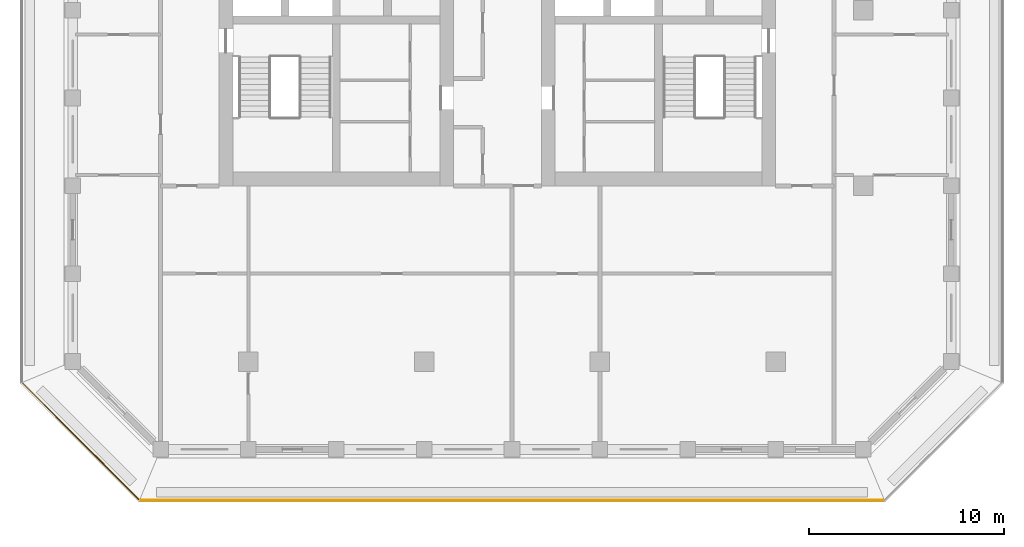
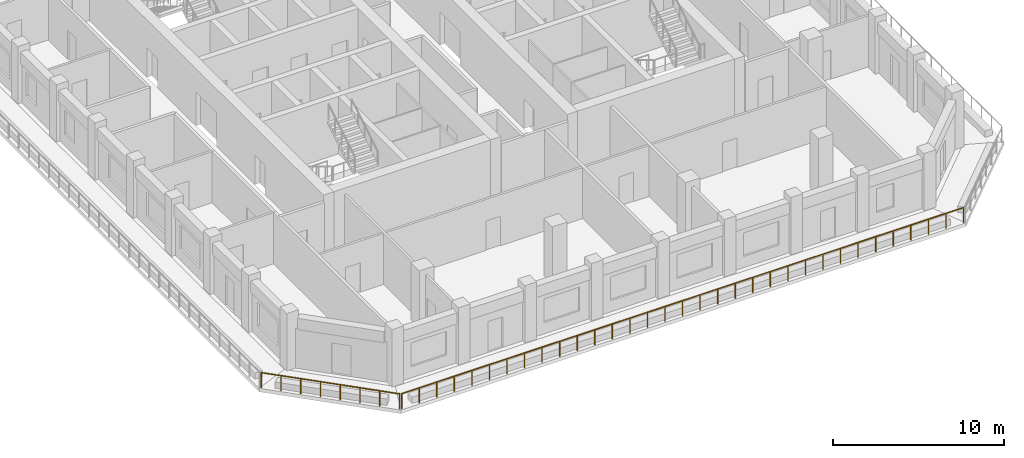
# One storey, part 9 of 17: 2 railings.
"""IFC4 building model written with IfcOpenShell, lengths in metres."""

from ifc_helpers import new_model, si_unit, direction, frame, origin, origin_2d, place, context, subcontext, project, spatial, circle, extrude, material, type_object, element, save


model = new_model("IFC4")

# Units and contexts
model_context = context("Model", 3, precision=1e-05, world=origin(), true_north=direction((0.0, 1.0)))
body_context = subcontext(model_context, "Body", "Model", "MODEL_VIEW")
ifc_project = project(units=[si_unit("LENGTHUNIT", "METRE"), si_unit("AREAUNIT", "SQUARE_METRE"), si_unit("VOLUMEUNIT", "CUBIC_METRE"), si_unit("PLANEANGLEUNIT", "RADIAN"), si_unit("MASSUNIT", "GRAM", prefix="KILO")], contexts=[model_context])

# Site, building, storey
site_placement = place(None, origin())
site = spatial("IfcSite", under=ifc_project, at=site_placement, CompositionType="ELEMENT")
building_placement = place(site_placement, origin())
building = spatial("IfcBuilding", under=site, at=building_placement, Name="Corbel Stack Research Tower", CompositionType="ELEMENT")
storey_placement = place(building_placement, frame((0.0, 0.0, 252.10009765625)))
storey = spatial("IfcBuildingStorey", under=building, at=storey_placement, Name="L57", CompositionType="ELEMENT", Elevation=252.10009765625)

# Railings
ifc_material = material(Name="Powder-coated steel guard", Category="steel")
railing_type = type_object("IfcRailingType", Name="Steel and glass guard 1100", PredefinedType="GUARDRAIL", material=ifc_material)
railing_1_placement = place(storey_placement, frame((-14.50537109375, -25.10009765625, 0.0)))
element("IfcRailing", 1, at=railing_1_placement, inside=storey, type_object=railing_type, Name="Loggia guard L57 S", PredefinedType="GUARDRAIL", context=body_context, shape_type="SweptSolid", body=[
    extrude(circle(Radius=0.02392578125, at=origin_2d()), frame((0.0, 0.0, 1.076171875), z_axis=(1.0, 0.0, 0.0), x_axis=(0.0, 1.0, 0.0)), (0.0, 0.0, 1.0), 38.0107421875),
    extrude(circle(Radius=0.02099609375, at=origin_2d()), origin(), (0.0, 0.0, 1.0), 1.052001953125),
    extrude(circle(Radius=0.02099609375, at=origin_2d()), frame((1.187744140625, 0.0, 0.0)), (0.0, 0.0, 1.0), 1.052001953125),
    extrude(circle(Radius=0.02099609375, at=origin_2d()), frame((2.375732421875, 0.0, 0.0)), (0.0, 0.0, 1.0), 1.052001953125),
    extrude(circle(Radius=0.02099609375, at=origin_2d()), frame((3.5634765625, 0.0, 0.0)), (0.0, 0.0, 1.0), 1.052001953125),
    extrude(circle(Radius=0.02099609375, at=origin_2d()), frame((4.75146484375, 0.0, 0.0)), (0.0, 0.0, 1.0), 1.052001953125),
    extrude(circle(Radius=0.02099609375, at=origin_2d()), frame((5.939208984375, 0.0, 0.0)), (0.0, 0.0, 1.0), 1.052001953125),
    extrude(circle(Radius=0.02099609375, at=origin_2d()), frame((7.126953125, 0.0, 0.0)), (0.0, 0.0, 1.0), 1.052001953125),
    extrude(circle(Radius=0.02099609375, at=origin_2d()), frame((8.31494140625, 0.0, 0.0)), (0.0, 0.0, 1.0), 1.052001953125),
    extrude(circle(Radius=0.02099609375, at=origin_2d()), frame((9.502685546875, 0.0, 0.0)), (0.0, 0.0, 1.0), 1.052001953125),
    extrude(circle(Radius=0.02099609375, at=origin_2d()), frame((10.6904296875, 0.0, 0.0)), (0.0, 0.0, 1.0), 1.052001953125),
    extrude(circle(Radius=0.02099609375, at=origin_2d()), frame((11.87841796875, 0.0, 0.0)), (0.0, 0.0, 1.0), 1.052001953125),
    extrude(circle(Radius=0.02099609375, at=origin_2d()), frame((13.066162109375, 0.0, 0.0)), (0.0, 0.0, 1.0), 1.052001953125),
    extrude(circle(Radius=0.02099609375, at=origin_2d()), frame((14.25390625, 0.0, 0.0)), (0.0, 0.0, 1.0), 1.052001953125),
    extrude(circle(Radius=0.02099609375, at=origin_2d()), frame((15.44189453125, 0.0, 0.0)), (0.0, 0.0, 1.0), 1.052001953125),
    extrude(circle(Radius=0.02099609375, at=origin_2d()), frame((16.629638671875, 0.0, 0.0)), (0.0, 0.0, 1.0), 1.052001953125),
    extrude(circle(Radius=0.02099609375, at=origin_2d()), frame((17.817626953125, 0.0, 0.0)), (0.0, 0.0, 1.0), 1.052001953125),
    extrude(circle(Radius=0.02099609375, at=origin_2d()), frame((19.00537109375, 0.0, 0.0)), (0.0, 0.0, 1.0), 1.052001953125),
    extrude(circle(Radius=0.02099609375, at=origin_2d()), frame((20.193115234375, 0.0, 0.0)), (0.0, 0.0, 1.0), 1.052001953125),
    extrude(circle(Radius=0.02099609375, at=origin_2d()), frame((21.381103515625, 0.0, 0.0)), (0.0, 0.0, 1.0), 1.052001953125),
    extrude(circle(Radius=0.02099609375, at=origin_2d()), frame((22.56884765625, 0.0, 0.0)), (0.0, 0.0, 1.0), 1.052001953125),
    extrude(circle(Radius=0.02099609375, at=origin_2d()), frame((23.7568359375, 0.0, 0.0)), (0.0, 0.0, 1.0), 1.052001953125),
    extrude(circle(Radius=0.02099609375, at=origin_2d()), frame((24.944580078125, 0.0, 0.0)), (0.0, 0.0, 1.0), 1.052001953125),
    extrude(circle(Radius=0.02099609375, at=origin_2d()), frame((26.13232421875, 0.0, 0.0)), (0.0, 0.0, 1.0), 1.052001953125),
    extrude(circle(Radius=0.02099609375, at=origin_2d()), frame((27.3203125, 0.0, 0.0)), (0.0, 0.0, 1.0), 1.052001953125),
    extrude(circle(Radius=0.02099609375, at=origin_2d()), frame((28.508056640625, 0.0, 0.0)), (0.0, 0.0, 1.0), 1.052001953125),
    extrude(circle(Radius=0.02099609375, at=origin_2d()), frame((29.69580078125, 0.0, 0.0)), (0.0, 0.0, 1.0), 1.052001953125),
    extrude(circle(Radius=0.02099609375, at=origin_2d()), frame((30.8837890625, 0.0, 0.0)), (0.0, 0.0, 1.0), 1.052001953125),
    extrude(circle(Radius=0.02099609375, at=origin_2d()), frame((32.071533203125, 0.0, 0.0)), (0.0, 0.0, 1.0), 1.052001953125),
    extrude(circle(Radius=0.02099609375, at=origin_2d()), frame((33.25927734375, 0.0, 0.0)), (0.0, 0.0, 1.0), 1.052001953125),
    extrude(circle(Radius=0.02099609375, at=origin_2d()), frame((34.447265625, 0.0, 0.0)), (0.0, 0.0, 1.0), 1.052001953125),
    extrude(circle(Radius=0.02099609375, at=origin_2d()), frame((35.635009765625, 0.0, 0.0)), (0.0, 0.0, 1.0), 1.052001953125),
    extrude(circle(Radius=0.02099609375, at=origin_2d()), frame((36.822998046875, 0.0, 0.0)), (0.0, 0.0, 1.0), 1.052001953125),
    extrude(circle(Radius=0.02099609375, at=origin_2d()), frame((38.0107421875, 0.0, 0.0)), (0.0, 0.0, 1.0), 1.052001953125),
])
railing_2_placement = place(storey_placement, frame((-20.54931640625, -19.127685546875, 0.0)))
element("IfcRailing", 2, at=railing_2_placement, inside=storey, type_object=railing_type, Name="Loggia guard L57 SW", PredefinedType="GUARDRAIL", context=body_context, shape_type="SweptSolid", body=[
    extrude(circle(Radius=0.02392578125, at=origin_2d()), frame((0.0, 0.0, 1.076171875), z_axis=(0.707106781187, -0.707106781187, 0.0), x_axis=(0.707106781187, 0.707106781187, 0.0)), (0.0, 0.0, 1.0), 8.37451171875),
    extrude(circle(Radius=0.02099609375, at=origin_2d()), origin(), (0.0, 0.0, 1.0), 1.052001953125),
    extrude(circle(Radius=0.02099609375, at=origin_2d()), frame((0.845947265625, -0.845947265625, 0.0)), (0.0, 0.0, 1.0), 1.052001953125),
    extrude(circle(Radius=0.02099609375, at=origin_2d()), frame((1.69189453125, -1.69189453125, 0.0)), (0.0, 0.0, 1.0), 1.052001953125),
    extrude(circle(Radius=0.02099609375, at=origin_2d()), frame((2.537841796875, -2.537841796875, 0.0)), (0.0, 0.0, 1.0), 1.052001953125),
    extrude(circle(Radius=0.02099609375, at=origin_2d()), frame((3.3837890625, -3.3837890625, 0.0)), (0.0, 0.0, 1.0), 1.052001953125),
    extrude(circle(Radius=0.02099609375, at=origin_2d()), frame((4.229736328125, -4.229736328125, 0.0)), (0.0, 0.0, 1.0), 1.052001953125),
    extrude(circle(Radius=0.02099609375, at=origin_2d()), frame((5.07568359375, -5.07568359375, 0.0)), (0.0, 0.0, 1.0), 1.052001953125),
    extrude(circle(Radius=0.02099609375, at=origin_2d()), frame((5.921630859375, -5.921630859375, 0.0)), (0.0, 0.0, 1.0), 1.052001953125),
])

save(model, "model.ifc")
